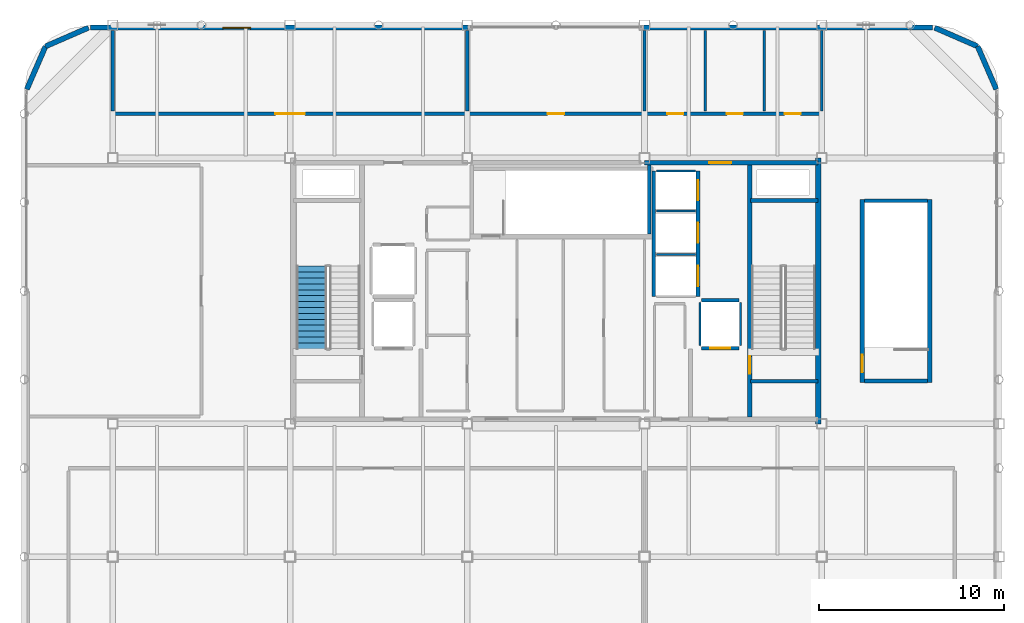
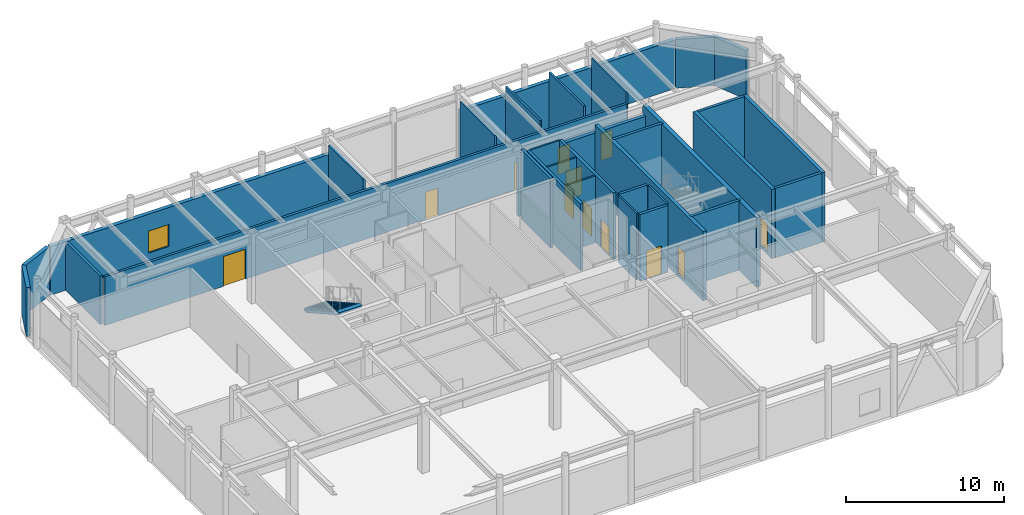
# One storey, part 18 of 21: 32 walls, 12 doors, 1 stair flight, 1 window, 13 openings, 1 element without a shape of its own.
"""IFC4 building model written with IfcOpenShell, lengths in metres."""

import ifcopenshell
import ifcopenshell.guid

model = None  # the IFC model being written
_history = None  # IfcOwnerHistory: only IFC2X3 demands one
_inside = {}  # id of a spatial element -> (the spatial element, [elements in it])
_under = {}  # id of a project, library or spatial element -> (it, [spatial elements below it])
_declared = {}  # id of a project -> (the project, [libraries it declares])
_typed = {}  # id of a type object -> (the type object, [elements of that type])
_made_of = {}  # id of a material, layer set ... -> (it, [elements and type objects made of it])


def new_model(schema):
    """Start an empty IFC model of exactly this schema.

    Asked for "IFC4X3", IfcOpenShell would pick the latest addendum, in which some entities
    have other attributes; the version numbers below select the first issue.
    IFC2X3 requires an IfcOwnerHistory on every rooted entity: one is made here for all.
    """
    global model, _history
    if schema == "IFC4X3":
        model = ifcopenshell.file(schema_version=(4, 3, 0, 0))
    else:
        model = ifcopenshell.file(schema=schema)
    _inside.clear()
    _under.clear()
    _declared.clear()
    _typed.clear()
    _made_of.clear()
    _history = None
    if model.schema == "IFC2X3":
        org = make("IfcOrganization", Name="unknown")
        user = make(
            "IfcPersonAndOrganization",
            ThePerson=make("IfcPerson", FamilyName="unknown"),
            TheOrganization=org,
        )
        app = make(
            "IfcApplication",
            ApplicationDeveloper=org,
            Version="unknown",
            ApplicationFullName="unknown",
            ApplicationIdentifier="unknown",
        )
        _history = make(
            "IfcOwnerHistory",
            OwningUser=user,
            OwningApplication=app,
            ChangeAction="ADDED",
            CreationDate=0,
        )
    return model


def make(cls, **values):
    """One entity of the class cls with the attributes given. An attribute that is None is left unset."""
    return model.create_entity(
        cls, **{name: value for name, value in values.items() if value is not None}
    )


def rooted(cls, **values):
    """An entity with a GlobalId (a new one), such as an element, a storey or a relation."""
    return make(cls, GlobalId=ifcopenshell.guid.new(), OwnerHistory=_history, **values)


def si_unit(unit_type, name, prefix=None):
    """IfcSIUnit, for example si_unit("LENGTHUNIT", "METRE", prefix="MILLI")."""
    return make("IfcSIUnit", UnitType=unit_type, Prefix=prefix, Name=name)


def assignment(units):
    """IfcUnitAssignment: the units of a project."""
    return None if units is None else make("IfcUnitAssignment", Units=units)


def point(xyz):
    """IfcCartesianPoint."""
    return None if xyz is None else make("IfcCartesianPoint", Coordinates=xyz)


def direction(xyz):
    """IfcDirection."""
    return None if xyz is None else make("IfcDirection", DirectionRatios=xyz)


def frame(location, z_axis=None, x_axis=None):
    """IfcAxis2Placement3D, a coordinate frame: its origin and axes. An axis left out is left unset."""
    return make(
        "IfcAxis2Placement3D",
        Location=point(location),
        Axis=direction(z_axis),
        RefDirection=direction(x_axis),
    )


def frame_2d(location, x_axis=None):
    """IfcAxis2Placement2D, a coordinate frame in the plane: its origin and x axis."""
    return make(
        "IfcAxis2Placement2D", Location=point(location), RefDirection=direction(x_axis)
    )


def origin():
    """The frame at (0, 0, 0) with its axes left unset."""
    return frame((0.0, 0.0, 0.0))


def place(relative_to, where):
    """IfcLocalPlacement: puts the frame where relative to a parent placement (None: the world)."""
    return make(
        "IfcLocalPlacement", PlacementRelTo=relative_to, RelativePlacement=where
    )


def context(
    kind, dimensions, precision=None, world=None, true_north=None, identifier=None
):
    """IfcGeometricRepresentationContext, for example the 3D "Model" context."""
    return make(
        "IfcGeometricRepresentationContext",
        ContextIdentifier=identifier,
        ContextType=kind,
        CoordinateSpaceDimension=dimensions,
        Precision=precision,
        WorldCoordinateSystem=world,
        TrueNorth=true_north,
    )


def subcontext(parent, identifier, kind, view, scale=None):
    """IfcGeometricRepresentationSubContext, for example "Body" below "Model"."""
    return make(
        "IfcGeometricRepresentationSubContext",
        ContextIdentifier=identifier,
        ContextType=kind,
        ParentContext=parent,
        TargetScale=scale,
        TargetView=view,
    )


def project(units=None, contexts=None):
    """IfcProject with its units and contexts."""
    return rooted(
        "IfcProject",
        Name="project",
        RepresentationContexts=contexts,
        UnitsInContext=assignment(units),
    )


def spatial(cls, under=None, at=None, **own):
    """A site, building, storey or space (cls), placed at a placement, below another one or the project."""
    s = rooted(cls, ObjectPlacement=at, **own)
    if under is not None:
        _under.setdefault(under.id(), (under, []))[1].append(s)
    return s


def polyline(points):
    """IfcPolyline through the points."""
    return make("IfcPolyline", Points=[point(p) for p in points])


def profile(cls, at=None, kind="AREA", **sizes):
    """A parametric profile (cls). Its sizes go by their IFC names, for example OverallWidth=200.0."""
    return make(cls, ProfileType=kind, Position=at, **sizes)


def rectangle(**sizes):
    """IfcRectangleProfileDef."""
    return profile("IfcRectangleProfileDef", **sizes)


def outline(outer, holes=None, kind="AREA"):
    """IfcArbitraryClosedProfileDef: a profile drawn as a closed curve; with holes, ...WithVoids."""
    if holes is None:
        return make("IfcArbitraryClosedProfileDef", ProfileType=kind, OuterCurve=outer)
    return make(
        "IfcArbitraryProfileDefWithVoids",
        ProfileType=kind,
        OuterCurve=outer,
        InnerCurves=holes,
    )


def extrude(swept, where, along, depth):
    """IfcExtrudedAreaSolid: the profile swept, set in the frame where, extruded along a direction by depth."""
    return make(
        "IfcExtrudedAreaSolid",
        SweptArea=swept,
        Position=where,
        ExtrudedDirection=direction(along),
        Depth=depth,
    )


def shape(context_of_items, identifier, shape_type, items):
    """IfcShapeRepresentation: the items that make up one representation, for example the "Body"."""
    return make(
        "IfcShapeRepresentation",
        ContextOfItems=context_of_items,
        RepresentationIdentifier=identifier,
        RepresentationType=shape_type,
        Items=items,
    )


def material(Name=None, Category=None):
    """IfcMaterial."""
    return make("IfcMaterial", Name=Name, Category=Category)


def layer(
    of_material, thickness, ventilated=None, Name=None, Category=None, Priority=None
):
    """IfcMaterialLayer: one layer of a wall or slab, of a material (None: an air gap)."""
    return make(
        "IfcMaterialLayer",
        Material=of_material,
        LayerThickness=thickness,
        IsVentilated=ventilated,
        Name=Name,
        Category=Category,
        Priority=Priority,
    )


def layer_set(layers, Name=None):
    """IfcMaterialLayerSet."""
    return make("IfcMaterialLayerSet", MaterialLayers=layers, LayerSetName=Name)


def made_of(thing, what):
    """Note that an element or type object is made of a material, layer set ...; save() writes the relation."""
    if what is not None:
        _made_of.setdefault(what.id(), (what, []))[1].append(thing)
    return thing


def type_object(cls, material=None, **own):
    """A type object (cls), such as IfcWallType, which elements share."""
    return made_of(rooted(cls, **own), material)


def element(
    cls,
    number,
    at=None,
    inside=None,
    cuts=None,
    type_object=None,
    material=None,
    context=None,
    identifier="Body",
    shape_type=None,
    held_by="IfcProductDefinitionShape",
    body=None,
    shapes=None,
    **own,
):
    """One element of the class cls, such as IfcWall. Its Tag is "e" and its number.

    at: its placement. inside: the storey or other place that contains it. cuts: it is an
    opening in that element (IfcRelVoidsElement). A single representation is given by context,
    identifier, shape_type and body (its items); several are given by shapes. held_by: the class
    of the entity that holds the representations. save() writes the other relations.
    """
    e = rooted(cls, Tag="e%d" % number, ObjectPlacement=at, **own)
    if body is not None:
        shapes = [shape(context, identifier, shape_type, body)]
    if shapes is not None:
        e.Representation = make(held_by, Representations=shapes)
    if inside is not None:
        _inside.setdefault(inside.id(), (inside, []))[1].append(e)
    if cuts is not None:
        rooted(
            "IfcRelVoidsElement", RelatingBuildingElement=cuts, RelatedOpeningElement=e
        )
    if type_object is not None:
        _typed.setdefault(type_object.id(), (type_object, []))[1].append(e)
    return made_of(e, material)


def fill(opening, filler):
    """IfcRelFillsElement: the door or window that sits in an opening."""
    return rooted(
        "IfcRelFillsElement",
        RelatingOpeningElement=opening,
        RelatedBuildingElement=filler,
    )


def aggregate(whole, parts):
    """IfcRelAggregates: a whole, such as a stair, and the parts it consists of."""
    return rooted("IfcRelAggregates", RelatingObject=whole, RelatedObjects=parts)


def save(model, path):
    """Write the relations noted so far, then the file.

    IfcRelAggregates (storeys below a building ...), IfcRelContainedInSpatialStructure (elements
    in a storey), IfcRelDefinesByType, IfcRelAssociatesMaterial and IfcRelDeclares: one each for
    every whole, place, type object, material and project.
    """
    for whole, parts in _under.values():
        aggregate(whole, parts)
    for where, things in _inside.values():
        rooted(
            "IfcRelContainedInSpatialStructure",
            RelatedElements=things,
            RelatingStructure=where,
        )
    for kind, things in _typed.values():
        rooted("IfcRelDefinesByType", RelatedObjects=things, RelatingType=kind)
    for what, things in _made_of.values():
        rooted("IfcRelAssociatesMaterial", RelatedObjects=things, RelatingMaterial=what)
    for by, libraries in _declared.values():
        rooted("IfcRelDeclares", RelatingContext=by, RelatedDefinitions=libraries)
    model.write(path)


model = new_model("IFC4")

# Units and contexts
model_context = context("Model", 3, precision=1e-05, world=origin(), true_north=direction((0.0, 1.0)))
body_context = subcontext(model_context, "Body", "Model", "MODEL_VIEW")
ifc_project = project(units=[si_unit("LENGTHUNIT", "METRE"), si_unit("AREAUNIT", "SQUARE_METRE"), si_unit("VOLUMEUNIT", "CUBIC_METRE"), si_unit("PLANEANGLEUNIT", "RADIAN"), si_unit("MASSUNIT", "GRAM", prefix="KILO")], contexts=[model_context])

# Site, building, storey
site_placement = place(None, origin())
site = spatial("IfcSite", under=ifc_project, at=site_placement, CompositionType="ELEMENT")
building_placement = place(site_placement, origin())
building = spatial("IfcBuilding", under=site, at=building_placement, Name="Kallvorn Hotel Tower", CompositionType="ELEMENT")
storey_placement = place(building_placement, frame((0.0, 0.0, 300.60009765625)))
storey = spatial("IfcBuildingStorey", under=building, at=storey_placement, Name="L74", CompositionType="ELEMENT", Elevation=300.60009765625)

# Wall
ifc_material_1 = material(Name="Concrete C50/60", Category="concrete")
ifc_layer_1 = layer(ifc_material_1, 0.300048828125)
ifc_layer_set_1 = layer_set([ifc_layer_1], Name="WL_CORE_300")
wall_type_1 = type_object("IfcWallType", Name="WL_CORE_300", PredefinedType="SHEAR", material=ifc_layer_set_1)
wall_1_placement = place(storey_placement, frame((14.215087890625, -7.199951171875, -0.2001953125), z_axis=(0.0, 0.0, 1.0), x_axis=(0.0, 1.0, 0.0)))
element("IfcWall", 1, at=wall_1_placement, inside=storey, type_object=wall_type_1, Name="L74 Core East Shear Wall", PredefinedType="SHEAR", context=body_context, shape_type="SweptSolid", body=[
    extrude(rectangle(XDim=14.39990234375, YDim=0.300048828125, at=frame_2d((7.199951171875, 0.0))), origin(), (0.0, 0.0, 1.0), 5.360107421875),
])

# Wall, openings, doors
ifc_material_2 = material(Name="Fire-rated double-layer acoustic gypsum drywall EI 60")
ifc_layer_2 = layer(ifc_material_2, 0.179931640625)
ifc_layer_set_2 = layer_set([ifc_layer_2], Name="WL_CORR_180")
wall_type_2 = type_object("IfcWallType", Name="WL_CORR_180", PredefinedType="PARTITIONING", material=ifc_layer_set_2)
wall_2_placement = place(storey_placement, frame((-23.8798828125, 9.60009765625, 0.0), z_axis=(0.0, 0.0, 1.0), x_axis=(1.0, 0.0, 0.0)))
wall_2 = element("IfcWall", 2, at=wall_2_placement, inside=storey, type_object=wall_type_2, Name="L74 North Panorama Viewing Sky Cafe Partition", PredefinedType="PARTITIONING", context=body_context, shape_type="SweptSolid", body=[
    extrude(rectangle(XDim=38.159912109375, YDim=0.179931640625, at=frame_2d((19.080078125, 0.0))), origin(), (0.0, 0.0, 1.0), 3.760009765625),
])
opening_1_placement = place(wall_2_placement, frame((8.679931640625, 0.0, 0.0)))
opening_1 = element("IfcOpeningElement", 3, at=opening_1_placement, cuts=wall_2, Name="Opening HD1", PredefinedType="OPENING", context=body_context, shape_type="SweptSolid", body=[
    extrude(rectangle(XDim=1.60009765625, YDim=2.300048828125, at=frame_2d((0.800048828125, 1.14990234375))), frame((0.0, 0.104736328125, 0.0), z_axis=(0.0, -1.0, 0.0), x_axis=(1.0, 0.0, 0.0)), (0.0, 0.0, 1.0), 0.2099609375),
])
opening_2_placement = place(wall_2_placement, frame((23.429931640625, 0.0, 0.0)))
opening_2 = element("IfcOpeningElement", 4, at=opening_2_placement, cuts=wall_2, Name="Opening SVD1", PredefinedType="OPENING", context=body_context, shape_type="SweptSolid", body=[
    extrude(rectangle(XDim=0.89990234375, YDim=2.10009765625, at=frame_2d((0.449951171875, 1.050048828125))), frame((0.0, 0.104736328125, 0.0), z_axis=(0.0, -1.0, 0.0), x_axis=(1.0, 0.0, 0.0)), (0.0, 0.0, 1.0), 0.2099609375),
])
opening_3_placement = place(wall_2_placement, frame((29.9208984375, 0.0, 0.0)))
opening_3 = element("IfcOpeningElement", 5, at=opening_3_placement, cuts=wall_2, Name="Opening BD-I", PredefinedType="OPENING", context=body_context, shape_type="SweptSolid", body=[
    extrude(rectangle(XDim=0.860107421875, YDim=2.10009765625, at=frame_2d((0.43017578125, 1.050048828125))), frame((0.0, 0.104736328125, 0.0), z_axis=(0.0, -1.0, 0.0), x_axis=(1.0, 0.0, 0.0)), (0.0, 0.0, 1.0), 0.2099609375),
])
opening_4_placement = place(wall_2_placement, frame((33.14404296875, 0.0, 0.0)))
opening_4 = element("IfcOpeningElement", 6, at=opening_4_placement, cuts=wall_2, Name="Opening BD-I", PredefinedType="OPENING", context=body_context, shape_type="SweptSolid", body=[
    extrude(rectangle(XDim=0.860107421875, YDim=2.10009765625, at=frame_2d((0.43017578125, 1.050048828125))), frame((0.0, 0.104736328125, 0.0), z_axis=(0.0, -1.0, 0.0), x_axis=(1.0, 0.0, 0.0)), (0.0, 0.0, 1.0), 0.2099609375),
])
opening_5_placement = place(wall_2_placement, frame((36.27197265625, 0.0, 0.0)))
opening_5 = element("IfcOpeningElement", 7, at=opening_5_placement, cuts=wall_2, Name="Opening BD-I", PredefinedType="OPENING", context=body_context, shape_type="SweptSolid", body=[
    extrude(rectangle(XDim=0.860107421875, YDim=2.10009765625, at=frame_2d((0.43017578125, 1.050048828125))), frame((0.0, 0.104736328125, 0.0), z_axis=(0.0, -1.0, 0.0), x_axis=(1.0, 0.0, 0.0)), (0.0, 0.0, 1.0), 0.2099609375),
])
ifc_material_3 = material(Name="Solid-core walnut veneer fire-rated timber door leaf", Category="wood")
door_type_1 = type_object("IfcDoorType", Name="DR_BATH_860x2100", OperationType="NOTDEFINED", PredefinedType="DOOR", material=ifc_material_3)
door_1_placement = place(opening_3_placement, origin())
door_1 = element("IfcDoor", 8, at=door_1_placement, inside=storey, type_object=door_type_1, Name="L74 Public Male Restroom WC Door", OperationType="SINGLE_SWING_RIGHT", OverallHeight=2.10009765625, OverallWidth=0.860107421875, PredefinedType="DOOR", context=body_context, shape_type="SweptSolid", body=[
    extrude(rectangle(XDim=0.860107421875, YDim=2.10009765625, at=frame_2d((0.43017578125, 1.050048828125))), frame((0.0, 0.02490234375, 0.0), z_axis=(0.0, -1.0, 0.0), x_axis=(1.0, 0.0, 0.0)), (0.0, 0.0, 1.0), 0.050048828125),
])
fill(opening_3, door_1)
door_2_placement = place(opening_4_placement, origin())
door_2 = element("IfcDoor", 9, at=door_2_placement, inside=storey, type_object=door_type_1, Name="L74 Public Female Restroom WC Door", OperationType="SINGLE_SWING_RIGHT", OverallHeight=2.10009765625, OverallWidth=0.860107421875, PredefinedType="DOOR", context=body_context, shape_type="SweptSolid", body=[
    extrude(rectangle(XDim=0.860107421875, YDim=2.10009765625, at=frame_2d((0.43017578125, 1.050048828125))), frame((0.0, 0.02490234375, 0.0), z_axis=(0.0, -1.0, 0.0), x_axis=(1.0, 0.0, 0.0)), (0.0, 0.0, 1.0), 0.050048828125),
])
fill(opening_4, door_2)
door_3_placement = place(opening_5_placement, origin())
door_3 = element("IfcDoor", 10, at=door_3_placement, inside=storey, type_object=door_type_1, Name="L74 Accessible Restroom WC Door", OperationType="SINGLE_SWING_RIGHT", OverallHeight=2.10009765625, OverallWidth=0.860107421875, PredefinedType="DOOR", context=body_context, shape_type="SweptSolid", body=[
    extrude(rectangle(XDim=0.860107421875, YDim=2.10009765625, at=frame_2d((0.43017578125, 1.050048828125))), frame((0.0, 0.02490234375, 0.0), z_axis=(0.0, -1.0, 0.0), x_axis=(1.0, 0.0, 0.0)), (0.0, 0.0, 1.0), 0.050048828125),
])
fill(opening_5, door_3)
ifc_material_4 = material(Name="Solid-core walnut veneer fire-rated timber door leaf", Category="wood")
door_type_2 = type_object("IfcDoorType", Name="DR_HALL_1600x2300", OperationType="DOUBLE_DOOR_SINGLE_SWING", PredefinedType="DOOR", material=ifc_material_4)
door_4_placement = place(opening_1_placement, origin())
door_4 = element("IfcDoor", 11, at=door_4_placement, inside=storey, type_object=door_type_2, Name="L74 North Panorama Viewing Sky Cafe Door", OperationType="DOUBLE_DOOR_SINGLE_SWING", OverallHeight=2.300048828125, OverallWidth=1.60009765625, PredefinedType="DOOR", context=body_context, shape_type="SweptSolid", body=[
    extrude(rectangle(XDim=1.60009765625, YDim=2.300048828125, at=frame_2d((0.800048828125, 1.14990234375))), frame((0.0, 0.02490234375, 0.0), z_axis=(0.0, -1.0, 0.0), x_axis=(1.0, 0.0, 0.0)), (0.0, 0.0, 1.0), 0.050048828125),
])
fill(opening_1, door_4)
ifc_material_5 = material(Name="Galvanised painted steel fire-rated door assembly", Category="steel")
door_type_3 = type_object("IfcDoorType", Name="DR_SERV_900x2100", OperationType="NOTDEFINED", PredefinedType="DOOR", material=ifc_material_5)
door_5_placement = place(opening_2_placement, origin())
door_5 = element("IfcDoor", 12, at=door_5_placement, inside=storey, type_object=door_type_3, Name="L74 Observatory Souvenir Boutique Shop Door", OperationType="SINGLE_SWING_RIGHT", OverallHeight=2.10009765625, OverallWidth=0.89990234375, PredefinedType="DOOR", context=body_context, shape_type="SweptSolid", body=[
    extrude(rectangle(XDim=0.89990234375, YDim=2.10009765625, at=frame_2d((0.449951171875, 1.050048828125))), frame((0.0, 0.02490234375, 0.0), z_axis=(0.0, -1.0, 0.0), x_axis=(1.0, 0.0, 0.0)), (0.0, 0.0, 1.0), 0.050048828125),
])
fill(opening_2, door_5)

# Walls
wall_3_placement = place(storey_placement, frame((-24.0, 9.75, 0.0), z_axis=(0.0, 0.0, 1.0), x_axis=(0.0, 1.0, 0.0)))
element("IfcWall", 13, at=wall_3_placement, inside=storey, type_object=wall_type_2, Name="L74 North Panorama Viewing Sky Cafe Partition", PredefinedType="PARTITIONING", context=body_context, shape_type="SweptSolid", body=[
    extrude(rectangle(XDim=4.360107421875, YDim=0.179931640625, at=frame_2d((2.18017578125, 0.0))), origin(), (0.0, 0.0, 1.0), 3.760009765625),
])
wall_4_placement = place(storey_placement, frame((-4.800048828125, 9.75, 0.0), z_axis=(0.0, 0.0, 1.0), x_axis=(0.0, 1.0, 0.0)))
element("IfcWall", 14, at=wall_4_placement, inside=storey, type_object=wall_type_2, Name="L74 North Panorama Viewing Sky Cafe Partition", PredefinedType="PARTITIONING", context=body_context, shape_type="SweptSolid", body=[
    extrude(rectangle(XDim=4.360107421875, YDim=0.179931640625, at=frame_2d((2.18017578125, 0.0))), origin(), (0.0, 0.0, 1.0), 4.510009765625),
])
ifc_material_6 = material(Name="Precast basalt-clad insulated concrete wall C40/50", Category="masonry")
ifc_layer_3 = layer(ifc_material_6, 0.280029296875)
ifc_layer_set_3 = layer_set([ifc_layer_3], Name="WL_EXT_LOGGIA_280")
wall_type_3 = type_object("IfcWallType", Name="WL_EXT_LOGGIA_280", PredefinedType="SOLIDWALL", material=ifc_layer_set_3)
for number, where, z_axis, x_axis, name in (
    (15, (23.85791015625, 10.9208984375, 0.0), (0.0, 0.0, 1.0), (-0.398747232384, 0.917060872934, 0.0), "L74 Rounded Corner Exterior Wall NE1"),
    (16, (22.8466796875, 13.24658203125, 0.0), (0.0, 0.0, 1.0), (-0.917076177656, 0.398712031894, 0.0), "L74 Rounded Corner Exterior Wall NE2"),
    (17, (-25.32080078125, 14.2578125, 0.0), (0.0, 0.0, 1.0), (-0.917060872934, -0.398747232384, 0.0), "L74 Rounded Corner Exterior Wall NW1"),
    (18, (-27.646484375, 13.24658203125, 0.0), (0.0, 0.0, 1.0), (-0.398828190223, -0.917025667407, 0.0), "L74 Rounded Corner Exterior Wall NW2"),
):
    element("IfcWall", number, at=place(storey_placement, frame(where, z_axis=z_axis, x_axis=x_axis)), inside=storey, type_object=wall_type_3, Name=name, PredefinedType="SOLIDWALL", context=body_context, shape_type="SweptSolid", body=[
        extrude(rectangle(XDim=2.5361328125, YDim=0.280029296875, at=frame_2d((1.26806640625, 0.0))), origin(), (0.0, 0.0, 1.0), 3.760009765625),
    ])

# Wall, opening, window
wall_5_placement = place(storey_placement, frame((-25.199951171875, 14.260009765625, 0.0), z_axis=(0.0, 0.0, 1.0), x_axis=(1.0, 0.0, 0.0)))
wall_5 = element("IfcWall", 19, at=wall_5_placement, inside=storey, type_object=wall_type_3, Name="L74 Exterior Envelope Wall EW-L74-NW", PredefinedType="SOLIDWALL", context=body_context, shape_type="SweptSolid", body=[
    extrude(rectangle(XDim=20.449951171875, YDim=0.280029296875, at=frame_2d((10.22509765625, 0.0))), origin(), (0.0, 0.0, 1.0), 3.760009765625),
])
opening_6_placement = place(wall_5_placement, frame((7.159912109375, 0.0, 0.75)))
opening_6 = element("IfcOpeningElement", 20, at=opening_6_placement, cuts=wall_5, Name="Opening W05", PredefinedType="OPENING", context=body_context, shape_type="SweptSolid", body=[
    extrude(rectangle(XDim=1.5, YDim=1.699951171875, at=frame_2d((0.75, 0.85009765625))), frame((0.0, 0.155029296875, 0.0), z_axis=(0.0, -1.0, 0.0), x_axis=(1.0, 0.0, 0.0)), (0.0, 0.0, 1.0), 0.31005859375),
])
ifc_material_7 = material(Name="Double-glazed low-e solar-control dark glass", Category="glass")
window_type = type_object("IfcWindowType", Name="WN_HTL_1500x1700", PartitioningType="SINGLE_PANEL", PredefinedType="WINDOW", material=ifc_material_7)
window_placement = place(opening_6_placement, origin())
window = element("IfcWindow", 21, at=window_placement, inside=storey, type_object=window_type, Name="L74 Guestroom Exterior Window 02", OverallHeight=1.699951171875, OverallWidth=1.5, PartitioningType="SINGLE_PANEL", PredefinedType="WINDOW", context=body_context, shape_type="SweptSolid", body=[
    extrude(rectangle(XDim=1.5, YDim=1.699951171875, at=frame_2d((0.75, 0.85009765625))), frame((0.0, 0.030029296875, 0.0), z_axis=(0.0, -1.0, 0.0), x_axis=(1.0, 0.0, 0.0)), (0.0, 0.0, 1.0), 0.06005859375),
])
fill(opening_6, window)

# Walls
wall_6_placement = place(storey_placement, frame((4.75, 14.260009765625, 0.0), z_axis=(0.0, 0.0, 1.0), x_axis=(1.0, 0.0, 0.0)))
element("IfcWall", 22, at=wall_6_placement, inside=storey, type_object=wall_type_3, Name="L74 Exterior Envelope Wall EW-L74-NE", PredefinedType="SOLIDWALL", context=body_context, shape_type="SweptSolid", body=[
    extrude(rectangle(XDim=15.64990234375, YDim=0.280029296875, at=frame_2d((7.824951171875, 0.0))), origin(), (0.0, 0.0, 1.0), 3.760009765625),
])
ifc_material_8 = material(Name="Concrete C40/50", Category="concrete")
ifc_layer_4 = layer(ifc_material_8, 0.199951171875)
ifc_layer_set_4 = layer_set([ifc_layer_4], Name="WL_HOIST_200")
wall_type_4 = type_object("IfcWallType", Name="WL_HOIST_200", PredefinedType="SOLIDWALL", material=ifc_layer_set_4)
for number, where, z_axis, x_axis, name in (
    (23, (10.550048828125, -4.89990234375, -0.2001953125), (0.0, 0.0, 1.0), (1.0, 0.0, 0.0), "L74 Stair ST2 South Wall"),
    (24, (10.550048828125, 4.89990234375, -0.2001953125), (0.0, 0.0, 1.0), (1.0, 0.0, 0.0), "L74 Stair ST2 North Wall"),
):
    element("IfcWall", number, at=place(storey_placement, frame(where, z_axis=z_axis, x_axis=x_axis)), inside=storey, type_object=wall_type_4, Name=name, PredefinedType="SOLIDWALL", context=body_context, shape_type="SweptSolid", body=[
        extrude(rectangle(XDim=3.64990234375, YDim=0.199951171875, at=frame_2d((1.824951171875, 0.0))), origin(), (0.0, 0.0, 1.0), 5.360107421875),
    ])
wall_7_placement = place(storey_placement, frame((5.06005859375, 3.080078125, -0.2001953125), z_axis=(0.0, 0.0, 1.0), x_axis=(0.0, 1.0, 0.0)))
element("IfcWall", 25, at=wall_7_placement, inside=storey, type_object=wall_type_4, Name="L74 Stair ST3 East Wall", PredefinedType="SOLIDWALL", context=body_context, shape_type="SweptSolid", body=[
    extrude(rectangle(XDim=3.739990234375, YDim=0.199951171875, at=frame_2d((1.8701171875, 0.0))), origin(), (0.0, 0.0, 1.0), 5.360107421875),
])
for number, where, z_axis, x_axis, name in (
    (26, (16.72998046875, -4.8798828125, -0.2001953125), (0.0, 0.0, 1.0), (1.0, 0.0, 0.0), "L74 Summit Exit Stair ST4 South Wall"),
    (27, (16.72998046875, 4.8798828125, -0.2001953125), (0.0, 0.0, 1.0), (1.0, 0.0, 0.0), "L74 Summit Exit Stair ST4 North Wall"),
):
    element("IfcWall", number, at=place(storey_placement, frame(where, z_axis=z_axis, x_axis=x_axis)), inside=storey, type_object=wall_type_4, Name=name, PredefinedType="SOLIDWALL", context=body_context, shape_type="SweptSolid", body=[
        extrude(rectangle(XDim=3.39990234375, YDim=0.199951171875, at=frame_2d((1.699951171875, 0.0))), origin(), (0.0, 0.0, 1.0), 5.360107421875),
    ])

# Wall, openings, doors
wall_8_placement = place(storey_placement, frame((7.699951171875, -0.300048828125, 0.0), z_axis=(0.0, 0.0, 1.0), x_axis=(0.0, 1.0, 0.0)))
wall_8 = element("IfcWall", 28, at=wall_8_placement, inside=storey, type_object=wall_type_4, Name="L74 Lift Bank OBS Landing Wall", PredefinedType="SOLIDWALL", context=body_context, shape_type="SweptSolid", body=[
    extrude(rectangle(XDim=6.800048828125, YDim=0.199951171875, at=frame_2d((3.39990234375, 0.0))), origin(), (0.0, 0.0, 1.0), 5.159912109375),
])
opening_7_placement = place(wall_8_placement, frame((0.550048828125, 0.0, 0.0)))
opening_7 = element("IfcOpeningElement", 29, at=opening_7_placement, cuts=wall_8, Name="Opening LD-OB-01", PredefinedType="OPENING", context=body_context, shape_type="SweptSolid", body=[
    extrude(rectangle(XDim=1.10009765625, YDim=2.199951171875, at=frame_2d((0.550048828125, 1.10009765625))), frame((0.0, 0.114990234375, 0.0), z_axis=(0.0, -1.0, 0.0), x_axis=(1.0, 0.0, 0.0)), (0.0, 0.0, 1.0), 0.22998046875),
])
opening_8_placement = place(wall_8_placement, frame((2.89990234375, 0.0, 0.0)))
opening_8 = element("IfcOpeningElement", 30, at=opening_8_placement, cuts=wall_8, Name="Opening LD-OB-02", PredefinedType="OPENING", context=body_context, shape_type="SweptSolid", body=[
    extrude(rectangle(XDim=1.10009765625, YDim=2.199951171875, at=frame_2d((0.550048828125, 1.10009765625))), frame((0.0, 0.114990234375, 0.0), z_axis=(0.0, -1.0, 0.0), x_axis=(1.0, 0.0, 0.0)), (0.0, 0.0, 1.0), 0.22998046875),
])
opening_9_placement = place(wall_8_placement, frame((5.199951171875, 0.0, 0.0)))
opening_9 = element("IfcOpeningElement", 31, at=opening_9_placement, cuts=wall_8, Name="Opening LD-OB-03", PredefinedType="OPENING", context=body_context, shape_type="SweptSolid", body=[
    extrude(rectangle(XDim=1.10009765625, YDim=2.199951171875, at=frame_2d((0.550048828125, 1.10009765625))), frame((0.0, 0.114990234375, 0.0), z_axis=(0.0, -1.0, 0.0), x_axis=(1.0, 0.0, 0.0)), (0.0, 0.0, 1.0), 0.22998046875),
])
ifc_material_9 = material(Name="Brushed stainless-steel automatic sliding lift landing door", Category="steel")
door_type_4 = type_object("IfcDoorType", Name="LD_PASS_1100x2200", OperationType="SLIDING_TO_LEFT", PredefinedType="DOOR", material=ifc_material_9)
door_6_placement = place(opening_7_placement, origin())
door_6 = element("IfcDoor", 32, at=door_6_placement, inside=storey, type_object=door_type_4, Name="L74 Lift Landing Sliding Door LD-OB-01", OperationType="SLIDING_TO_LEFT", OverallHeight=2.199951171875, OverallWidth=1.10009765625, PredefinedType="DOOR", context=body_context, shape_type="SweptSolid", body=[
    extrude(rectangle(XDim=1.10009765625, YDim=2.199951171875, at=frame_2d((0.550048828125, 1.10009765625))), frame((0.0, 0.02490234375, 0.0), z_axis=(0.0, -1.0, 0.0), x_axis=(1.0, 0.0, 0.0)), (0.0, 0.0, 1.0), 0.050048828125),
])
fill(opening_7, door_6)
door_7_placement = place(opening_8_placement, origin())
door_7 = element("IfcDoor", 33, at=door_7_placement, inside=storey, type_object=door_type_4, Name="L74 Lift Landing Sliding Door LD-OB-02", OperationType="SLIDING_TO_LEFT", OverallHeight=2.199951171875, OverallWidth=1.10009765625, PredefinedType="DOOR", context=body_context, shape_type="SweptSolid", body=[
    extrude(rectangle(XDim=1.10009765625, YDim=2.199951171875, at=frame_2d((0.550048828125, 1.10009765625))), frame((0.0, 0.02490234375, 0.0), z_axis=(0.0, -1.0, 0.0), x_axis=(1.0, 0.0, 0.0)), (0.0, 0.0, 1.0), 0.050048828125),
])
fill(opening_8, door_7)
door_8_placement = place(opening_9_placement, origin())
door_8 = element("IfcDoor", 34, at=door_8_placement, inside=storey, type_object=door_type_4, Name="L74 Lift Landing Sliding Door LD-OB-03", OperationType="SLIDING_TO_LEFT", OverallHeight=2.199951171875, OverallWidth=1.10009765625, PredefinedType="DOOR", context=body_context, shape_type="SweptSolid", body=[
    extrude(rectangle(XDim=1.10009765625, YDim=2.199951171875, at=frame_2d((0.550048828125, 1.10009765625))), frame((0.0, 0.02490234375, 0.0), z_axis=(0.0, -1.0, 0.0), x_axis=(1.0, 0.0, 0.0)), (0.0, 0.0, 1.0), 0.050048828125),
])
fill(opening_9, door_8)

# Wall
wall_9_placement = place(storey_placement, frame((5.300048828125, -0.300048828125, 0.0), z_axis=(0.0, 0.0, 1.0), x_axis=(0.0, 1.0, 0.0)))
element("IfcWall", 35, at=wall_9_placement, inside=storey, type_object=wall_type_4, Name="L74 Lift Bank OBS Rear Shaft Wall", PredefinedType="SOLIDWALL", context=body_context, shape_type="SweptSolid", body=[
    extrude(rectangle(XDim=6.800048828125, YDim=0.199951171875, at=frame_2d((3.39990234375, 0.0))), origin(), (0.0, 0.0, 1.0), 5.159912109375),
])

# Wall, opening, door
wall_10_placement = place(storey_placement, frame((7.8798828125, -3.10009765625, 0.0), z_axis=(0.0, 0.0, 1.0), x_axis=(1.0, 0.0, 0.0)))
wall_10 = element("IfcWall", 36, at=wall_10_placement, inside=storey, type_object=wall_type_4, Name="L74 FL-2 Landing Wall", PredefinedType="SOLIDWALL", context=body_context, shape_type="SweptSolid", body=[
    extrude(rectangle(XDim=2.0400390625, YDim=0.199951171875, at=frame_2d((1.02001953125, 0.0))), origin(), (0.0, 0.0, 1.0), 5.159912109375),
])
opening_10_placement = place(wall_10_placement, frame((0.469970703125, 0.0, 0.0)))
opening_10 = element("IfcOpeningElement", 37, at=opening_10_placement, cuts=wall_10, Name="Opening LD-FL-2", PredefinedType="OPENING", context=body_context, shape_type="SweptSolid", body=[
    extrude(rectangle(XDim=1.10009765625, YDim=2.199951171875, at=frame_2d((0.550048828125, 1.10009765625))), frame((0.0, 0.114990234375, 0.0), z_axis=(0.0, -1.0, 0.0), x_axis=(1.0, 0.0, 0.0)), (0.0, 0.0, 1.0), 0.22998046875),
])
door_9_placement = place(opening_10_placement, origin())
door_9 = element("IfcDoor", 38, at=door_9_placement, inside=storey, type_object=door_type_4, Name="L74 Lift Landing Sliding Door LD-FL-2", OperationType="SLIDING_TO_LEFT", OverallHeight=2.199951171875, OverallWidth=1.10009765625, PredefinedType="DOOR", context=body_context, shape_type="SweptSolid", body=[
    extrude(rectangle(XDim=1.10009765625, YDim=2.199951171875, at=frame_2d((0.550048828125, 1.10009765625))), frame((0.0, 0.02490234375, 0.0), z_axis=(0.0, -1.0, 0.0), x_axis=(1.0, 0.0, 0.0)), (0.0, 0.0, 1.0), 0.050048828125),
])
fill(opening_10, door_9)

# Walls
wall_11_placement = place(storey_placement, frame((7.8798828125, -0.5, 0.0), z_axis=(0.0, 0.0, 1.0), x_axis=(1.0, 0.0, 0.0)))
element("IfcWall", 39, at=wall_11_placement, inside=storey, type_object=wall_type_4, Name="L74 FL-2 Rear Shaft Wall", PredefinedType="SOLIDWALL", context=body_context, shape_type="SweptSolid", body=[
    extrude(rectangle(XDim=2.0400390625, YDim=0.199951171875, at=frame_2d((1.02001953125, 0.0))), origin(), (0.0, 0.0, 1.0), 5.159912109375),
])
ifc_material_10 = material(Name="Fire-rated double-layer acoustic gypsum drywall EI 60")
ifc_layer_5 = layer(ifc_material_10, 0.1201171875)
ifc_layer_set_5 = layer_set([ifc_layer_5], Name="WL_INT_120")
wall_type_5 = type_object("IfcWallType", Name="WL_INT_120", PredefinedType="PARTITIONING", material=ifc_layer_set_5)
for number, where, z_axis, x_axis, name in (
    (40, (5.43994140625, 1.97509765625, 0.0), (0.0, 0.0, 1.0), (1.0, 0.0, 0.0), "L74 OB-01 Hoistway Divider"),
    (41, (5.43994140625, 4.324951171875, 0.0), (0.0, 0.0, 1.0), (1.0, 0.0, 0.0), "L74 OB-02 Hoistway Divider"),
    (42, (5.43994140625, 6.5, 0.0), (0.0, 0.0, 1.0), (1.0, 0.0, 0.0), "L74 OB-03 Hoistway Divider"),
):
    element("IfcWall", number, at=place(storey_placement, frame(where, z_axis=z_axis, x_axis=x_axis)), inside=storey, type_object=wall_type_5, Name=name, PredefinedType="PARTITIONING", context=body_context, shape_type="SweptSolid", body=[
        extrude(rectangle(XDim=2.1201171875, YDim=0.1201171875, at=frame_2d((1.06005859375, 0.0))), origin(), (0.0, 0.0, 1.0), 5.159912109375),
    ])
for number, where, z_axis, x_axis, name in (
    (43, (7.800048828125, -2.9599609375, 0.0), (0.0, 0.0, 1.0), (0.0, 1.0, 0.0), "L74 FL-2 West Shaft Wall"),
    (44, (10.0, -2.9599609375, 0.0), (0.0, 0.0, 1.0), (0.0, 1.0, 0.0), "L74 FL-2 East Shaft Wall"),
):
    element("IfcWall", number, at=place(storey_placement, frame(where, z_axis=z_axis, x_axis=x_axis)), inside=storey, type_object=wall_type_5, Name=name, PredefinedType="PARTITIONING", context=body_context, shape_type="SweptSolid", body=[
        extrude(rectangle(XDim=2.320068359375, YDim=0.1201171875, at=frame_2d((1.16015625, 0.0))), origin(), (0.0, 0.0, 1.0), 5.159912109375),
    ])
ifc_material_11 = material(Name="Fire-rated double-layer acoustic gypsum drywall EI 60")
ifc_layer_6 = layer(ifc_material_11, 0.14990234375)
ifc_layer_set_6 = layer_set([ifc_layer_6], Name="WL_PART_150")
wall_type_6 = type_object("IfcWallType", Name="WL_PART_150", PredefinedType="PARTITIONING", material=ifc_layer_set_6)
wall_12_placement = place(storey_placement, frame((4.800048828125, 9.75, 0.0), z_axis=(0.0, 0.0, 1.0), x_axis=(0.0, 1.0, 0.0)))
element("IfcWall", 45, at=wall_12_placement, inside=storey, type_object=wall_type_6, Name="L74 Observatory Souvenir Boutique Shop Partition", PredefinedType="PARTITIONING", context=body_context, shape_type="SweptSolid", body=[
    extrude(rectangle(XDim=4.360107421875, YDim=0.14990234375, at=frame_2d((2.18017578125, 0.0))), origin(), (0.0, 0.0, 1.0), 4.510009765625),
])
ifc_material_12 = material(Name="Moisture-resistant acoustic plumbing chase wall EI 60")
ifc_layer_7 = layer(ifc_material_12, 0.139892578125)
ifc_layer_set_7 = layer_set([ifc_layer_7], Name="WL_PLUMB_140")
wall_type_7 = type_object("IfcWallType", Name="WL_PLUMB_140", PredefinedType="PLUMBINGWALL", material=ifc_layer_set_7)
for number, where, z_axis, x_axis, name in (
    (46, (8.10205078125, 9.75, 0.0), (0.0, 0.0, 1.0), (0.0, 1.0, 0.0), "L74 Public Female Restroom WC Partition"),
    (47, (11.284912109375, 9.75, 0.0), (0.0, 0.0, 1.0), (0.0, 1.0, 0.0), "L74 Accessible Restroom WC Partition"),
    (48, (14.39990234375, 9.75, 0.0), (0.0, 0.0, 1.0), (0.0, 1.0, 0.0), "L74 Accessible Restroom WC Partition"),
):
    element("IfcWall", number, at=place(storey_placement, frame(where, z_axis=z_axis, x_axis=x_axis)), inside=storey, type_object=wall_type_7, Name=name, PredefinedType="PLUMBINGWALL", context=body_context, shape_type="SweptSolid", body=[
        extrude(rectangle(XDim=4.360107421875, YDim=0.139892578125, at=frame_2d((2.18017578125, 0.0))), origin(), (0.0, 0.0, 1.0), 4.510009765625),
    ])

# Wall, opening, door
ifc_material_13 = material(Name="Concrete C40/50", Category="concrete")
ifc_layer_8 = layer(ifc_material_13, 0.25)
ifc_layer_set_8 = layer_set([ifc_layer_8], Name="WL_SHAFT_250")
wall_type_8 = type_object("IfcWallType", Name="WL_SHAFT_250", PredefinedType="SOLIDWALL", material=ifc_layer_set_8)
wall_13_placement = place(storey_placement, frame((4.800048828125, 6.949951171875, 0.0), z_axis=(0.0, 0.0, 1.0), x_axis=(1.0, 0.0, 0.0)))
wall_13 = element("IfcWall", 49, at=wall_13_placement, inside=storey, type_object=wall_type_8, Name="L74 Core North-East Wall", PredefinedType="SOLIDWALL", context=body_context, shape_type="SweptSolid", body=[
    extrude(rectangle(XDim=9.39990234375, YDim=0.25, at=frame_2d((4.699951171875, 0.0))), origin(), (0.0, 0.0, 1.0), 4.510009765625),
])
opening_11_placement = place(wall_13_placement, frame((3.5, 0.0, 0.0)))
opening_11 = element("IfcOpeningElement", 50, at=opening_11_placement, cuts=wall_13, Name="Opening FD2", PredefinedType="OPENING", context=body_context, shape_type="SweptSolid", body=[
    extrude(rectangle(XDim=1.199951171875, YDim=2.199951171875, at=frame_2d((0.60009765625, 1.10009765625))), frame((0.0, 0.139892578125, 0.0), z_axis=(0.0, -1.0, 0.0), x_axis=(1.0, 0.0, 0.0)), (0.0, 0.0, 1.0), 0.280029296875),
])
ifc_material_14 = material(Name="Galvanised painted steel fire-rated door assembly", Category="steel")
door_type_5 = type_object("IfcDoorType", Name="DR_LOBBY_1200x2200", OperationType="DOUBLE_DOOR_SINGLE_SWING", PredefinedType="DOOR", material=ifc_material_14)
door_10_placement = place(opening_11_placement, origin())
door_10 = element("IfcDoor", 51, at=door_10_placement, inside=storey, type_object=door_type_5, Name="L74 Observatory Shuttle Lobby Door", OperationType="DOUBLE_DOOR_SINGLE_SWING", OverallHeight=2.199951171875, OverallWidth=1.199951171875, PredefinedType="DOOR", context=body_context, shape_type="SweptSolid", body=[
    extrude(rectangle(XDim=1.199951171875, YDim=2.199951171875, at=frame_2d((0.60009765625, 1.10009765625))), frame((0.0, 0.02490234375, 0.0), z_axis=(0.0, -1.0, 0.0), x_axis=(1.0, 0.0, 0.0)), (0.0, 0.0, 1.0), 0.050048828125),
])
fill(opening_11, door_10)

wall_14_placement = place(storey_placement, frame((10.5, -6.820068359375, -0.2001953125), z_axis=(0.0, 0.0, 1.0), x_axis=(0.0, 1.0, 0.0)))
wall_14 = element("IfcWall", 52, at=wall_14_placement, inside=storey, type_object=wall_type_8, Name="L74 Stair ST2 Shaft Wall", PredefinedType="SOLIDWALL", context=body_context, shape_type="SweptSolid", body=[
    extrude(rectangle(XDim=13.64013671875, YDim=0.25, at=frame_2d((6.820068359375, 0.0))), origin(), (0.0, 0.0, 1.0), 5.360107421875),
])
opening_12_placement = place(wall_14_placement, frame((2.320068359375, 0.0, 0.199951171875)))
opening_12 = element("IfcOpeningElement", 53, at=opening_12_placement, cuts=wall_14, Name="Opening SD1", PredefinedType="OPENING", context=body_context, shape_type="SweptSolid", body=[
    extrude(rectangle(XDim=0.949951171875, YDim=2.14990234375, at=frame_2d((0.47509765625, 1.074951171875))), frame((0.0, 0.139892578125, 0.0), z_axis=(0.0, -1.0, 0.0), x_axis=(1.0, 0.0, 0.0)), (0.0, 0.0, 1.0), 0.280029296875),
])
ifc_material_15 = material(Name="Galvanised painted steel fire-rated door assembly", Category="steel")
door_type_6 = type_object("IfcDoorType", Name="DR_STAIR_950x2150", OperationType="NOTDEFINED", PredefinedType="DOOR", material=ifc_material_15)
door_11_placement = place(opening_12_placement, origin())
door_11 = element("IfcDoor", 54, at=door_11_placement, inside=storey, type_object=door_type_6, Name="L74 Exit Stair ST2 Fire Door", OperationType="SINGLE_SWING_LEFT", OverallHeight=2.14990234375, OverallWidth=0.949951171875, PredefinedType="DOOR", context=body_context, shape_type="SweptSolid", body=[
    extrude(rectangle(XDim=0.949951171875, YDim=2.14990234375, at=frame_2d((0.47509765625, 1.074951171875))), frame((0.0, 0.02490234375, 0.0), z_axis=(0.0, -1.0, 0.0), x_axis=(1.0, 0.0, 0.0)), (0.0, 0.0, 1.0), 0.050048828125),
])
fill(opening_12, door_11)

# Wall
wall_15_placement = place(storey_placement, frame((20.260009765625, -4.9599609375, -0.2001953125), z_axis=(0.0, 0.0, 1.0), x_axis=(0.0, 1.0, 0.0)))
element("IfcWall", 55, at=wall_15_placement, inside=storey, type_object=wall_type_8, Name="L74 Summit Exit Stair ST4 East Wall", PredefinedType="SOLIDWALL", context=body_context, shape_type="SweptSolid", body=[
    extrude(rectangle(XDim=9.919921875, YDim=0.25, at=frame_2d((4.9599609375, 0.0))), origin(), (0.0, 0.0, 1.0), 5.360107421875),
])

# Wall, opening, door
wall_16_placement = place(storey_placement, frame((16.60009765625, -4.9599609375, -0.2001953125), z_axis=(0.0, 0.0, 1.0), x_axis=(0.0, 1.0, 0.0)))
wall_16 = element("IfcWall", 56, at=wall_16_placement, inside=storey, type_object=wall_type_8, Name="L74 Summit Exit Stair ST4 West Wall", PredefinedType="SOLIDWALL", context=body_context, shape_type="SweptSolid", body=[
    extrude(rectangle(XDim=9.919921875, YDim=0.25, at=frame_2d((4.9599609375, 0.0))), origin(), (0.0, 0.0, 1.0), 5.360107421875),
])
opening_13_placement = place(wall_16_placement, frame((0.550048828125, 0.0, 0.199951171875)))
opening_13 = element("IfcOpeningElement", 57, at=opening_13_placement, cuts=wall_16, Name="Opening SD1", PredefinedType="OPENING", context=body_context, shape_type="SweptSolid", body=[
    extrude(rectangle(XDim=0.949951171875, YDim=2.14990234375, at=frame_2d((0.47509765625, 1.074951171875))), frame((0.0, 0.139892578125, 0.0), z_axis=(0.0, -1.0, 0.0), x_axis=(1.0, 0.0, 0.0)), (0.0, 0.0, 1.0), 0.280029296875),
])
door_12_placement = place(opening_13_placement, origin())
door_12 = element("IfcDoor", 58, at=door_12_placement, inside=storey, type_object=door_type_6, Name="L74 Summit Exit Stair ST4 Fire Door", OperationType="SINGLE_SWING_RIGHT", OverallHeight=2.14990234375, OverallWidth=0.949951171875, PredefinedType="DOOR", context=body_context, shape_type="SweptSolid", body=[
    extrude(rectangle(XDim=0.949951171875, YDim=2.14990234375, at=frame_2d((0.47509765625, 1.074951171875))), frame((0.0, 0.02490234375, 0.0), z_axis=(0.0, -1.0, 0.0), x_axis=(1.0, 0.0, 0.0)), (0.0, 0.0, 1.0), 0.050048828125),
])
fill(opening_13, door_12)

# Stair, stair flight
ifc_material_16 = material(Name="Precast concrete C40/50", Category="concrete")
stair_type = type_object("IfcStairType", Name="STR_CORE_DOGLEG", PredefinedType="HALF_TURN_STAIR", material=ifc_material_16)
stair_placement = place(storey_placement, origin())
stair = element("IfcStair", 59, at=stair_placement, inside=storey, type_object=stair_type, Name="L74 Exit stair ST1", PredefinedType="HALF_TURN_STAIR")
ifc_material_17 = material(Name="Precast concrete C40/50", Category="concrete")
stair_flight_type = type_object("IfcStairFlightType", Name="FLT_CORE_1660", PredefinedType="STRAIGHT", material=ifc_material_17)
stair_flight_placement = place(storey_placement, frame((-13.22998046875, 1.340087890625, 2.699951171875), z_axis=(0.0, 0.0, 1.0), x_axis=(0.0, -1.0, 0.0)))
stair_flight = element("IfcStairFlight", 60, at=stair_flight_placement, type_object=stair_flight_type, Name="ST1 flight 2", NumberOfRisers=15, NumberOfTreads=14, PredefinedType="STRAIGHT", RiserHeight=0.18, TreadLength=0.32, context=body_context, shape_type="SweptSolid", body=[
    extrude(outline(polyline([(0.0, 0.0), (0.0, 0.179931640625), (0.320068359375, 0.179931640625), (0.320068359375, 0.360107421875), (0.639892578125, 0.360107421875), (0.639892578125, 0.5400390625), (0.9599609375, 0.5400390625), (0.9599609375, 0.719970703125), (1.280029296875, 0.719970703125), (1.280029296875, 0.89990234375), (1.60009765625, 0.89990234375), (1.60009765625, 1.080078125), (1.919921875, 1.080078125), (1.919921875, 1.260009765625), (2.239990234375, 1.260009765625), (2.239990234375, 1.43994140625), (2.56005859375, 1.43994140625), (2.56005859375, 1.6201171875), (2.8798828125, 1.6201171875), (2.8798828125, 1.800048828125), (3.199951171875, 1.800048828125), (3.199951171875, 1.97998046875), (3.52001953125, 1.97998046875), (3.52001953125, 2.159912109375), (3.840087890625, 2.159912109375), (3.840087890625, 2.340087890625), (4.159912109375, 2.340087890625), (4.159912109375, 2.52001953125), (4.47998046875, 2.52001953125), (4.47998046875, 2.699951171875), (4.47998046875, 2.347900390625), (0.3056640625, 0.0), (0.0, 0.0)])), frame((0.0, 0.830078125, 0.0), z_axis=(0.0, -1.0, 0.0), x_axis=(1.0, 0.0, 0.0)), (0.0, 0.0, 1.0), 1.659912109375),
])
aggregate(stair, [stair_flight])

save(model, "model.ifc")
